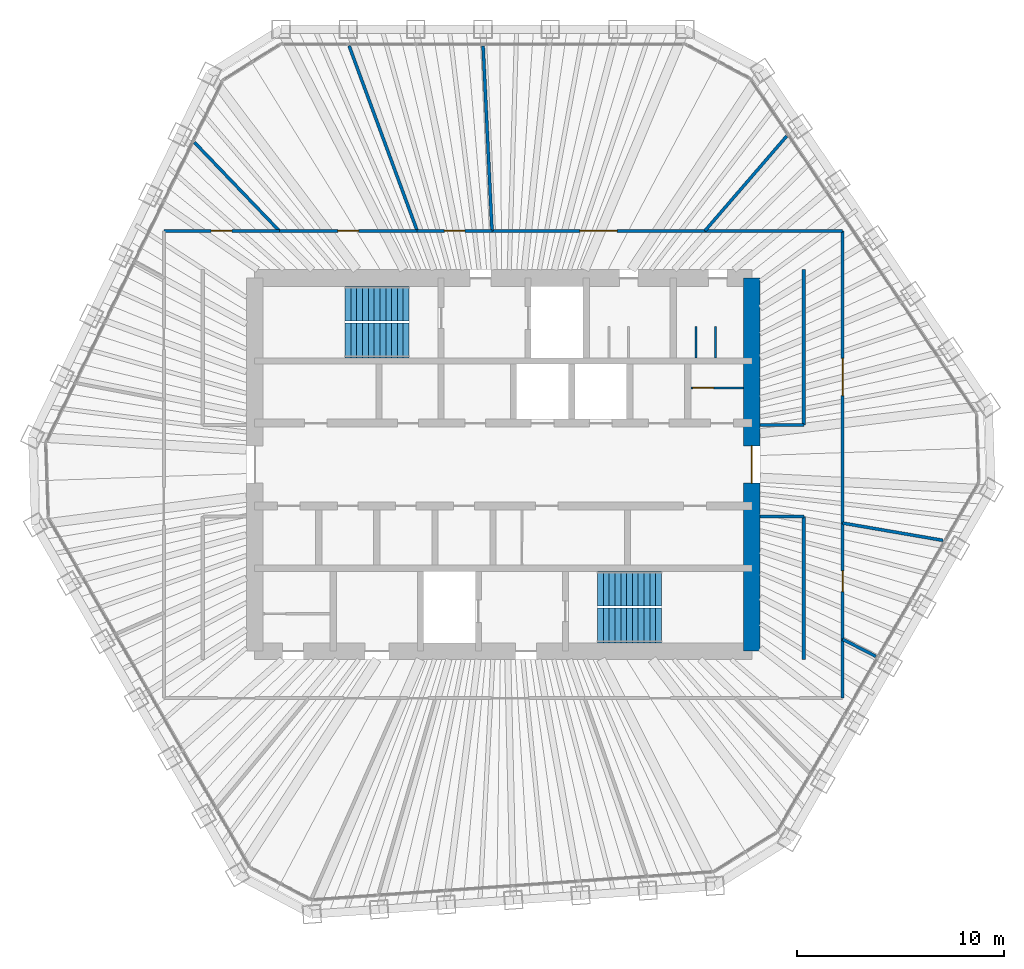
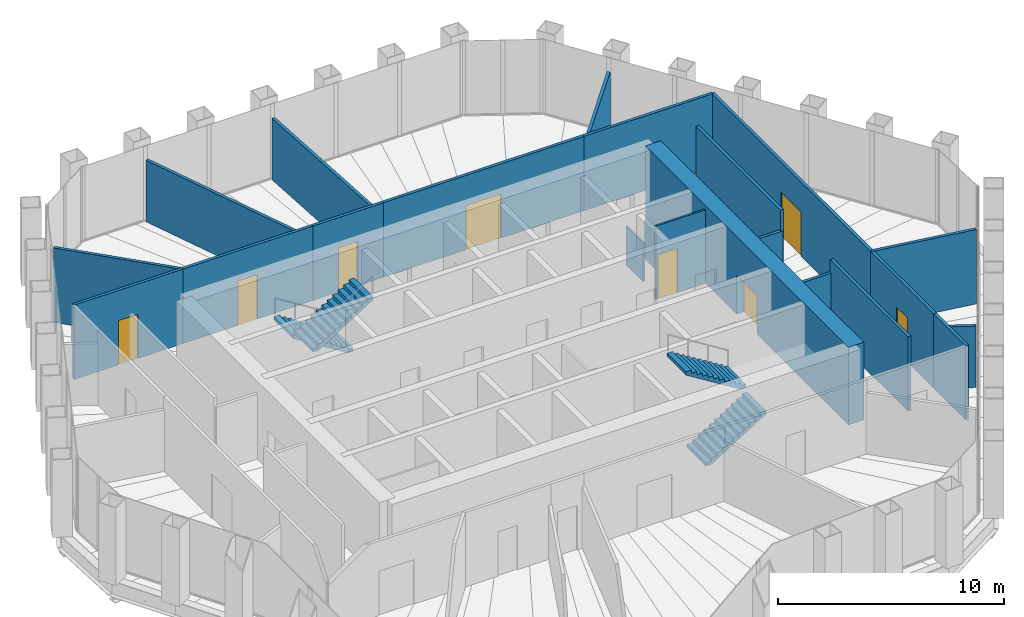
# One storey, part 13 of 14: 22 walls, 8 doors, 4 stair flights, 8 openings, 2 elements without a shape of their own.
"""IFC4 building model written with IfcOpenShell, lengths in metres."""

import ifcopenshell
import ifcopenshell.guid

model = None  # the IFC model being written
_history = None  # IfcOwnerHistory: only IFC2X3 demands one
_inside = {}  # id of a spatial element -> (the spatial element, [elements in it])
_under = {}  # id of a project, library or spatial element -> (it, [spatial elements below it])
_declared = {}  # id of a project -> (the project, [libraries it declares])
_typed = {}  # id of a type object -> (the type object, [elements of that type])
_made_of = {}  # id of a material, layer set ... -> (it, [elements and type objects made of it])


def new_model(schema):
    """Start an empty IFC model of exactly this schema.

    Asked for "IFC4X3", IfcOpenShell would pick the latest addendum, in which some entities
    have other attributes; the version numbers below select the first issue.
    IFC2X3 requires an IfcOwnerHistory on every rooted entity: one is made here for all.
    """
    global model, _history
    if schema == "IFC4X3":
        model = ifcopenshell.file(schema_version=(4, 3, 0, 0))
    else:
        model = ifcopenshell.file(schema=schema)
    _inside.clear()
    _under.clear()
    _declared.clear()
    _typed.clear()
    _made_of.clear()
    _history = None
    if model.schema == "IFC2X3":
        org = make("IfcOrganization", Name="unknown")
        user = make(
            "IfcPersonAndOrganization",
            ThePerson=make("IfcPerson", FamilyName="unknown"),
            TheOrganization=org,
        )
        app = make(
            "IfcApplication",
            ApplicationDeveloper=org,
            Version="unknown",
            ApplicationFullName="unknown",
            ApplicationIdentifier="unknown",
        )
        _history = make(
            "IfcOwnerHistory",
            OwningUser=user,
            OwningApplication=app,
            ChangeAction="ADDED",
            CreationDate=0,
        )
    return model


def make(cls, **values):
    """One entity of the class cls with the attributes given. An attribute that is None is left unset."""
    return model.create_entity(
        cls, **{name: value for name, value in values.items() if value is not None}
    )


def rooted(cls, **values):
    """An entity with a GlobalId (a new one), such as an element, a storey or a relation."""
    return make(cls, GlobalId=ifcopenshell.guid.new(), OwnerHistory=_history, **values)


def si_unit(unit_type, name, prefix=None):
    """IfcSIUnit, for example si_unit("LENGTHUNIT", "METRE", prefix="MILLI")."""
    return make("IfcSIUnit", UnitType=unit_type, Prefix=prefix, Name=name)


def assignment(units):
    """IfcUnitAssignment: the units of a project."""
    return None if units is None else make("IfcUnitAssignment", Units=units)


def point(xyz):
    """IfcCartesianPoint."""
    return None if xyz is None else make("IfcCartesianPoint", Coordinates=xyz)


def direction(xyz):
    """IfcDirection."""
    return None if xyz is None else make("IfcDirection", DirectionRatios=xyz)


def frame(location, z_axis=None, x_axis=None):
    """IfcAxis2Placement3D, a coordinate frame: its origin and axes. An axis left out is left unset."""
    return make(
        "IfcAxis2Placement3D",
        Location=point(location),
        Axis=direction(z_axis),
        RefDirection=direction(x_axis),
    )


def frame_2d(location, x_axis=None):
    """IfcAxis2Placement2D, a coordinate frame in the plane: its origin and x axis."""
    return make(
        "IfcAxis2Placement2D", Location=point(location), RefDirection=direction(x_axis)
    )


def origin():
    """The frame at (0, 0, 0) with its axes left unset."""
    return frame((0.0, 0.0, 0.0))


def place(relative_to, where):
    """IfcLocalPlacement: puts the frame where relative to a parent placement (None: the world)."""
    return make(
        "IfcLocalPlacement", PlacementRelTo=relative_to, RelativePlacement=where
    )


def context(
    kind, dimensions, precision=None, world=None, true_north=None, identifier=None
):
    """IfcGeometricRepresentationContext, for example the 3D "Model" context."""
    return make(
        "IfcGeometricRepresentationContext",
        ContextIdentifier=identifier,
        ContextType=kind,
        CoordinateSpaceDimension=dimensions,
        Precision=precision,
        WorldCoordinateSystem=world,
        TrueNorth=true_north,
    )


def subcontext(parent, identifier, kind, view, scale=None):
    """IfcGeometricRepresentationSubContext, for example "Body" below "Model"."""
    return make(
        "IfcGeometricRepresentationSubContext",
        ContextIdentifier=identifier,
        ContextType=kind,
        ParentContext=parent,
        TargetScale=scale,
        TargetView=view,
    )


def project(units=None, contexts=None):
    """IfcProject with its units and contexts."""
    return rooted(
        "IfcProject",
        Name="project",
        RepresentationContexts=contexts,
        UnitsInContext=assignment(units),
    )


def spatial(cls, under=None, at=None, **own):
    """A site, building, storey or space (cls), placed at a placement, below another one or the project."""
    s = rooted(cls, ObjectPlacement=at, **own)
    if under is not None:
        _under.setdefault(under.id(), (under, []))[1].append(s)
    return s


def polyline(points):
    """IfcPolyline through the points."""
    return make("IfcPolyline", Points=[point(p) for p in points])


def profile(cls, at=None, kind="AREA", **sizes):
    """A parametric profile (cls). Its sizes go by their IFC names, for example OverallWidth=200.0."""
    return make(cls, ProfileType=kind, Position=at, **sizes)


def rectangle(**sizes):
    """IfcRectangleProfileDef."""
    return profile("IfcRectangleProfileDef", **sizes)


def outline(outer, holes=None, kind="AREA"):
    """IfcArbitraryClosedProfileDef: a profile drawn as a closed curve; with holes, ...WithVoids."""
    if holes is None:
        return make("IfcArbitraryClosedProfileDef", ProfileType=kind, OuterCurve=outer)
    return make(
        "IfcArbitraryProfileDefWithVoids",
        ProfileType=kind,
        OuterCurve=outer,
        InnerCurves=holes,
    )


def extrude(swept, where, along, depth):
    """IfcExtrudedAreaSolid: the profile swept, set in the frame where, extruded along a direction by depth."""
    return make(
        "IfcExtrudedAreaSolid",
        SweptArea=swept,
        Position=where,
        ExtrudedDirection=direction(along),
        Depth=depth,
    )


def shape(context_of_items, identifier, shape_type, items):
    """IfcShapeRepresentation: the items that make up one representation, for example the "Body"."""
    return make(
        "IfcShapeRepresentation",
        ContextOfItems=context_of_items,
        RepresentationIdentifier=identifier,
        RepresentationType=shape_type,
        Items=items,
    )


def material(Name=None, Category=None):
    """IfcMaterial."""
    return make("IfcMaterial", Name=Name, Category=Category)


def layer(
    of_material, thickness, ventilated=None, Name=None, Category=None, Priority=None
):
    """IfcMaterialLayer: one layer of a wall or slab, of a material (None: an air gap)."""
    return make(
        "IfcMaterialLayer",
        Material=of_material,
        LayerThickness=thickness,
        IsVentilated=ventilated,
        Name=Name,
        Category=Category,
        Priority=Priority,
    )


def layer_set(layers, Name=None):
    """IfcMaterialLayerSet."""
    return make("IfcMaterialLayerSet", MaterialLayers=layers, LayerSetName=Name)


def made_of(thing, what):
    """Note that an element or type object is made of a material, layer set ...; save() writes the relation."""
    if what is not None:
        _made_of.setdefault(what.id(), (what, []))[1].append(thing)
    return thing


def type_object(cls, material=None, **own):
    """A type object (cls), such as IfcWallType, which elements share."""
    return made_of(rooted(cls, **own), material)


def element(
    cls,
    number,
    at=None,
    inside=None,
    cuts=None,
    type_object=None,
    material=None,
    context=None,
    identifier="Body",
    shape_type=None,
    held_by="IfcProductDefinitionShape",
    body=None,
    shapes=None,
    **own,
):
    """One element of the class cls, such as IfcWall. Its Tag is "e" and its number.

    at: its placement. inside: the storey or other place that contains it. cuts: it is an
    opening in that element (IfcRelVoidsElement). A single representation is given by context,
    identifier, shape_type and body (its items); several are given by shapes. held_by: the class
    of the entity that holds the representations. save() writes the other relations.
    """
    e = rooted(cls, Tag="e%d" % number, ObjectPlacement=at, **own)
    if body is not None:
        shapes = [shape(context, identifier, shape_type, body)]
    if shapes is not None:
        e.Representation = make(held_by, Representations=shapes)
    if inside is not None:
        _inside.setdefault(inside.id(), (inside, []))[1].append(e)
    if cuts is not None:
        rooted(
            "IfcRelVoidsElement", RelatingBuildingElement=cuts, RelatedOpeningElement=e
        )
    if type_object is not None:
        _typed.setdefault(type_object.id(), (type_object, []))[1].append(e)
    return made_of(e, material)


def fill(opening, filler):
    """IfcRelFillsElement: the door or window that sits in an opening."""
    return rooted(
        "IfcRelFillsElement",
        RelatingOpeningElement=opening,
        RelatedBuildingElement=filler,
    )


def aggregate(whole, parts):
    """IfcRelAggregates: a whole, such as a stair, and the parts it consists of."""
    return rooted("IfcRelAggregates", RelatingObject=whole, RelatedObjects=parts)


def save(model, path):
    """Write the relations noted so far, then the file.

    IfcRelAggregates (storeys below a building ...), IfcRelContainedInSpatialStructure (elements
    in a storey), IfcRelDefinesByType, IfcRelAssociatesMaterial and IfcRelDeclares: one each for
    every whole, place, type object, material and project.
    """
    for whole, parts in _under.values():
        aggregate(whole, parts)
    for where, things in _inside.values():
        rooted(
            "IfcRelContainedInSpatialStructure",
            RelatedElements=things,
            RelatingStructure=where,
        )
    for kind, things in _typed.values():
        rooted("IfcRelDefinesByType", RelatedObjects=things, RelatingType=kind)
    for what, things in _made_of.values():
        rooted("IfcRelAssociatesMaterial", RelatedObjects=things, RelatingMaterial=what)
    for by, libraries in _declared.values():
        rooted("IfcRelDeclares", RelatingContext=by, RelatedDefinitions=libraries)
    model.write(path)


model = new_model("IFC4")

# Units and contexts
model_context = context("Model", 3, precision=1e-05, world=origin(), true_north=direction((0.0, 1.0)))
body_context = subcontext(model_context, "Body", "Model", "MODEL_VIEW")
ifc_project = project(units=[si_unit("LENGTHUNIT", "METRE"), si_unit("AREAUNIT", "SQUARE_METRE"), si_unit("VOLUMEUNIT", "CUBIC_METRE"), si_unit("PLANEANGLEUNIT", "RADIAN"), si_unit("MASSUNIT", "GRAM", prefix="KILO")], contexts=[model_context])

# Site, building, storey
site_placement = place(None, origin())
site = spatial("IfcSite", under=ifc_project, at=site_placement, CompositionType="ELEMENT")
building_placement = place(site_placement, origin())
building = spatial("IfcBuilding", under=site, at=building_placement, Name="Qingtian Harvest Tower", CompositionType="ELEMENT")
storey_placement = place(building_placement, frame((0.0, 0.0, 308.199951171875)))
storey = spatial("IfcBuildingStorey", under=building, at=storey_placement, Name="L68", CompositionType="ELEMENT", Elevation=308.199951171875)

# Wall, opening, door
ifc_material_1 = material(Name="Concrete fc' 70 MPa", Category="concrete")
ifc_layer_1 = layer(ifc_material_1, 0.800048828125)
ifc_layer_set_1 = layer_set([ifc_layer_1], Name="Core wall RC4 800")
wall_type_1 = type_object("IfcWallType", Name="Core wall RC4 800", PredefinedType="SHEAR", material=ifc_layer_set_1)
wall_1_placement = place(storey_placement, frame((12.0, -9.0, 0.0), z_axis=(0.0, 0.0, 1.0), x_axis=(0.0, 1.0, 0.0)))
wall_1 = element("IfcWall", 1, at=wall_1_placement, inside=storey, type_object=wall_type_1, Name="Core wall CE L68", PredefinedType="SHEAR", context=body_context, shape_type="SweptSolid", body=[
    extrude(rectangle(XDim=18.0, YDim=0.800048828125, at=frame_2d((9.0, 0.0))), origin(), (0.0, 0.0, 1.0), 4.199951171875),
])
opening_1_placement = place(wall_1_placement, frame((8.10009765625, 0.0, 0.0)))
opening_1 = element("IfcOpeningElement", 2, at=opening_1_placement, cuts=wall_1, Name="Opening FD2", PredefinedType="OPENING", context=body_context, shape_type="SweptSolid", body=[
    extrude(rectangle(XDim=1.800048828125, YDim=2.10009765625, at=frame_2d((0.89990234375, 1.050048828125))), frame((0.0, 0.409912109375, 0.0), z_axis=(0.0, -1.0, 0.0), x_axis=(1.0, 0.0, 0.0)), (0.0, 0.0, 1.0), 0.820068359375),
])
ifc_material_2 = material(Name="Steel-faced door leaf", Category="steel")
door_type_1 = type_object("IfcDoorType", Name="Fire door FD2 double 1 HR", OperationType="DOUBLE_DOOR_DOUBLE_SWING", PredefinedType="DOOR", material=ifc_material_2)
door_1_placement = place(opening_1_placement, origin())
door_1 = element("IfcDoor", 3, at=door_1_placement, inside=storey, type_object=door_type_1, Name="LOBBY-E door L68", OperationType="DOUBLE_DOOR_DOUBLE_SWING", OverallHeight=2.10009765625, OverallWidth=1.800048828125, PredefinedType="DOOR", context=body_context, shape_type="SweptSolid", body=[
    extrude(rectangle(XDim=1.800048828125, YDim=2.10009765625, at=frame_2d((0.89990234375, 1.050048828125))), frame((0.0, 0.02490234375, 0.0), z_axis=(0.0, -1.0, 0.0), x_axis=(1.0, 0.0, 0.0)), (0.0, 0.0, 1.0), 0.050048828125),
])
fill(opening_1, door_1)

# Walls
ifc_material_3 = material(Name="Gypsum board on steel studs", Category="steel")
ifc_layer_2 = layer(ifc_material_3, 0.14990234375)
ifc_layer_set_2 = layer_set([ifc_layer_2], Name="Partition PT1 150")
wall_type_2 = type_object("IfcWallType", Name="Partition PT1 150", PredefinedType="PARTITIONING", material=ifc_layer_set_2)
wall_2_placement = place(storey_placement, frame((13.678466796875, 15.850341796875, 0.0), z_axis=(0.0, 0.0, 1.0), x_axis=(-0.65333269737, -0.757070925704, 0.0)))
element("IfcWall", 4, at=wall_2_placement, inside=storey, type_object=wall_type_2, Name="Boardroom wall L68", PredefinedType="PARTITIONING", context=body_context, shape_type="SweptSolid", body=[
    extrude(rectangle(XDim=6.043701171875, YDim=0.14990234375, at=frame_2d((3.02197265625, 0.0))), origin(), (0.0, 0.0, 1.0), 3.330078125),
])
wall_3_placement = place(storey_placement, frame((9.72998046875, 11.27490234375, 0.0), z_axis=(0.0, 0.0, 1.0), x_axis=(1.0, 0.0, 0.0)))
element("IfcWall", 5, at=wall_3_placement, inside=storey, type_object=wall_type_2, Name="Boardroom wall L68", PredefinedType="PARTITIONING", context=body_context, shape_type="SweptSolid", body=[
    extrude(rectangle(XDim=6.64501953125, YDim=0.14990234375, at=frame_2d((3.322509765625, 0.0))), origin(), (0.0, 0.0, 1.0), 4.030029296875),
])

# Wall, opening, door
wall_4_placement = place(storey_placement, frame((16.375, 11.27490234375, 0.0), z_axis=(0.0, 0.0, 1.0), x_axis=(0.0, -1.0, 0.0)))
wall_4 = element("IfcWall", 6, at=wall_4_placement, inside=storey, type_object=wall_type_2, Name="Boardroom wall L68", PredefinedType="PARTITIONING", context=body_context, shape_type="SweptSolid", body=[
    extrude(rectangle(XDim=14.099609375, YDim=0.14990234375, at=frame_2d((7.0498046875, 0.0))), origin(), (0.0, 0.0, 1.0), 4.030029296875),
])
opening_2_placement = place(wall_4_placement, frame((6.14990234375, 0.0, 0.0)))
opening_2 = element("IfcOpeningElement", 7, at=opening_2_placement, cuts=wall_4, Name="Opening D3", PredefinedType="OPENING", context=body_context, shape_type="SweptSolid", body=[
    extrude(rectangle(XDim=1.800048828125, YDim=2.39990234375, at=frame_2d((0.89990234375, 1.199951171875))), frame((0.0, 0.0849609375, 0.0), z_axis=(0.0, -1.0, 0.0), x_axis=(1.0, 0.0, 0.0)), (0.0, 0.0, 1.0), 0.169921875),
])
ifc_material_4 = material(Name="Laminated timber door leaf", Category="wood")
door_type_2 = type_object("IfcDoorType", Name="Room door D3 double", OperationType="DOUBLE_DOOR_DOUBLE_SWING", PredefinedType="DOOR", material=ifc_material_4)
door_2_placement = place(opening_2_placement, origin())
door_2 = element("IfcDoor", 8, at=door_2_placement, inside=storey, type_object=door_type_2, Name="Boardroom door L68", OperationType="DOUBLE_DOOR_DOUBLE_SWING", OverallHeight=2.39990234375, OverallWidth=1.800048828125, PredefinedType="DOOR", context=body_context, shape_type="SweptSolid", body=[
    extrude(rectangle(XDim=1.800048828125, YDim=2.39990234375, at=frame_2d((0.89990234375, 1.199951171875))), frame((0.0, 0.02490234375, 0.0), z_axis=(0.0, -1.0, 0.0), x_axis=(1.0, 0.0, 0.0)), (0.0, 0.0, 1.0), 0.050048828125),
])
fill(opening_2, door_2)

# Wall
wall_5_placement = place(storey_placement, frame((21.218994140625, -3.66015625, 0.0), z_axis=(0.0, 0.0, 1.0), x_axis=(-0.98545065103, 0.169961802723, 0.0)))
element("IfcWall", 9, at=wall_5_placement, inside=storey, type_object=wall_type_2, Name="Private office wall L68", PredefinedType="PARTITIONING", context=body_context, shape_type="SweptSolid", body=[
    extrude(rectangle(XDim=4.91552734375, YDim=0.14990234375, at=frame_2d((2.457763671875, 0.0))), origin(), (0.0, 0.0, 1.0), 4.030029296875),
])

# Wall, opening, door
wall_6_placement = place(storey_placement, frame((16.375, -2.82470703125, 0.0), z_axis=(0.0, 0.0, 1.0), x_axis=(0.0, -1.0, 0.0)))
wall_6 = element("IfcWall", 10, at=wall_6_placement, inside=storey, type_object=wall_type_2, Name="Private office wall L68", PredefinedType="PARTITIONING", context=body_context, shape_type="SweptSolid", body=[
    extrude(rectangle(XDim=5.605712890625, YDim=0.14990234375, at=frame_2d((2.802734375, 0.0))), origin(), (0.0, 0.0, 1.0), 4.030029296875),
])
opening_3_placement = place(wall_6_placement, frame((2.302978515625, 0.0, 0.0)))
opening_3 = element("IfcOpeningElement", 11, at=opening_3_placement, cuts=wall_6, Name="Opening D2", PredefinedType="OPENING", context=body_context, shape_type="SweptSolid", body=[
    extrude(rectangle(XDim=1.0, YDim=2.39990234375, at=frame_2d((0.5, 1.199951171875))), frame((0.0, 0.0849609375, 0.0), z_axis=(0.0, -1.0, 0.0), x_axis=(1.0, 0.0, 0.0)), (0.0, 0.0, 1.0), 0.169921875),
])
ifc_material_5 = material(Name="Laminated timber door leaf", Category="wood")
door_type_3 = type_object("IfcDoorType", Name="Room door D2 single", OperationType="SINGLE_SWING_LEFT", PredefinedType="DOOR", material=ifc_material_5)
door_3_placement = place(opening_3_placement, origin())
door_3 = element("IfcDoor", 12, at=door_3_placement, inside=storey, type_object=door_type_3, Name="Private office door L68", OperationType="SINGLE_SWING_LEFT", OverallHeight=2.39990234375, OverallWidth=1.0, PredefinedType="DOOR", context=body_context, shape_type="SweptSolid", body=[
    extrude(rectangle(XDim=1.0, YDim=2.39990234375, at=frame_2d((0.5, 1.199951171875))), frame((0.0, 0.02490234375, 0.0), z_axis=(0.0, -1.0, 0.0), x_axis=(1.0, 0.0, 0.0)), (0.0, 0.0, 1.0), 0.050048828125),
])
fill(opening_3, door_3)

# Walls
wall_7_placement = place(storey_placement, frame((17.98046875, -9.257080078125, 0.0), z_axis=(0.0, 0.0, 1.0), x_axis=(-0.889064606085, 0.457781745165, 0.0)))
element("IfcWall", 13, at=wall_7_placement, inside=storey, type_object=wall_type_2, Name="Private office wall L68", PredefinedType="PARTITIONING", context=body_context, shape_type="SweptSolid", body=[
    extrude(rectangle(XDim=1.805908203125, YDim=0.14990234375, at=frame_2d((0.90283203125, 0.0))), origin(), (0.0, 0.0, 1.0), 3.330078125),
])
wall_8_placement = place(storey_placement, frame((16.375, -8.430419921875, 0.0), z_axis=(0.0, 0.0, 1.0), x_axis=(0.0, -1.0, 0.0)))
element("IfcWall", 14, at=wall_8_placement, inside=storey, type_object=wall_type_2, Name="Private office wall L68", PredefinedType="PARTITIONING", context=body_context, shape_type="SweptSolid", body=[
    extrude(rectangle(XDim=2.844482421875, YDim=0.14990234375, at=frame_2d((1.42236328125, 0.0))), origin(), (0.0, 0.0, 1.0), 4.030029296875),
])

# Wall, opening, door
wall_9_placement = place(storey_placement, frame((-16.375, 11.27490234375, 0.0), z_axis=(0.0, 0.0, 1.0), x_axis=(1.0, 0.0, 0.0)))
wall_9 = element("IfcWall", 15, at=wall_9_placement, inside=storey, type_object=wall_type_2, Name="Meeting room wall L68", PredefinedType="PARTITIONING", context=body_context, shape_type="SweptSolid", body=[
    extrude(rectangle(XDim=5.567626953125, YDim=0.14990234375, at=frame_2d((2.78369140625, 0.0))), origin(), (0.0, 0.0, 1.0), 4.030029296875),
])
opening_4_placement = place(wall_9_placement, frame((2.28369140625, 0.0, 0.0)))
opening_4 = element("IfcOpeningElement", 16, at=opening_4_placement, cuts=wall_9, Name="Opening D2", PredefinedType="OPENING", context=body_context, shape_type="SweptSolid", body=[
    extrude(rectangle(XDim=1.0, YDim=2.39990234375, at=frame_2d((0.5, 1.199951171875))), frame((0.0, 0.0849609375, 0.0), z_axis=(0.0, -1.0, 0.0), x_axis=(1.0, 0.0, 0.0)), (0.0, 0.0, 1.0), 0.169921875),
])
door_4_placement = place(opening_4_placement, origin())
door_4 = element("IfcDoor", 17, at=door_4_placement, inside=storey, type_object=door_type_3, Name="Meeting room door L68", OperationType="SINGLE_SWING_RIGHT", OverallHeight=2.39990234375, OverallWidth=1.0, PredefinedType="DOOR", context=body_context, shape_type="SweptSolid", body=[
    extrude(rectangle(XDim=1.0, YDim=2.39990234375, at=frame_2d((0.5, 1.199951171875))), frame((0.0, 0.02490234375, 0.0), z_axis=(0.0, -1.0, 0.0), x_axis=(1.0, 0.0, 0.0)), (0.0, 0.0, 1.0), 0.050048828125),
])
fill(opening_4, door_4)

# Wall
wall_10_placement = place(storey_placement, frame((-14.89990234375, 15.54443359375, 0.0), z_axis=(0.0, 0.0, 1.0), x_axis=(0.691984258941, -0.72191258846, 0.0)))
element("IfcWall", 18, at=wall_10_placement, inside=storey, type_object=wall_type_2, Name="Workplace zone wall L68", PredefinedType="PARTITIONING", context=body_context, shape_type="SweptSolid", body=[
    extrude(rectangle(XDim=5.914306640625, YDim=0.14990234375, at=frame_2d((2.95703125, 0.0))), origin(), (0.0, 0.0, 1.0), 4.030029296875),
])

# Wall, opening, door
wall_11_placement = place(storey_placement, frame((-10.807373046875, 11.27490234375, 0.0), z_axis=(0.0, 0.0, 1.0), x_axis=(1.0, 0.0, 0.0)))
wall_11 = element("IfcWall", 19, at=wall_11_placement, inside=storey, type_object=wall_type_2, Name="Workplace zone wall L68", PredefinedType="PARTITIONING", context=body_context, shape_type="SweptSolid", body=[
    extrude(rectangle(XDim=6.656005859375, YDim=0.14990234375, at=frame_2d((3.328125, 0.0))), origin(), (0.0, 0.0, 1.0), 4.030029296875),
])
opening_5_placement = place(wall_11_placement, frame((2.828125, 0.0, 0.0)))
opening_5 = element("IfcOpeningElement", 20, at=opening_5_placement, cuts=wall_11, Name="Opening D2", PredefinedType="OPENING", context=body_context, shape_type="SweptSolid", body=[
    extrude(rectangle(XDim=1.0, YDim=2.39990234375, at=frame_2d((0.5, 1.199951171875))), frame((0.0, 0.0849609375, 0.0), z_axis=(0.0, -1.0, 0.0), x_axis=(1.0, 0.0, 0.0)), (0.0, 0.0, 1.0), 0.169921875),
])
door_5_placement = place(opening_5_placement, origin())
door_5 = element("IfcDoor", 21, at=door_5_placement, inside=storey, type_object=door_type_3, Name="Workplace zone door L68", OperationType="SINGLE_SWING_LEFT", OverallHeight=2.39990234375, OverallWidth=1.0, PredefinedType="DOOR", context=body_context, shape_type="SweptSolid", body=[
    extrude(rectangle(XDim=1.0, YDim=2.39990234375, at=frame_2d((0.5, 1.199951171875))), frame((0.0, 0.02490234375, 0.0), z_axis=(0.0, -1.0, 0.0), x_axis=(1.0, 0.0, 0.0)), (0.0, 0.0, 1.0), 0.050048828125),
])
fill(opening_5, door_5)

# Wall
wall_12_placement = place(storey_placement, frame((-7.439697265625, 20.2060546875, 0.0), z_axis=(0.0, 0.0, 1.0), x_axis=(0.345511582319, -0.93841448544, 0.0)))
element("IfcWall", 22, at=wall_12_placement, inside=storey, type_object=wall_type_2, Name="Quiet room wall L68", PredefinedType="PARTITIONING", context=body_context, shape_type="SweptSolid", body=[
    extrude(rectangle(XDim=9.517333984375, YDim=0.14990234375, at=frame_2d((4.7587890625, 0.0))), origin(), (0.0, 0.0, 1.0), 3.330078125),
])

# Wall, opening, door
wall_13_placement = place(storey_placement, frame((-4.1513671875, 11.27490234375, 0.0), z_axis=(0.0, 0.0, 1.0), x_axis=(1.0, 0.0, 0.0)))
wall_13 = element("IfcWall", 23, at=wall_13_placement, inside=storey, type_object=wall_type_2, Name="Quiet room wall L68", PredefinedType="PARTITIONING", context=body_context, shape_type="SweptSolid", body=[
    extrude(rectangle(XDim=3.608154296875, YDim=0.14990234375, at=frame_2d((1.80419921875, 0.0))), origin(), (0.0, 0.0, 1.0), 4.030029296875),
])
opening_6_placement = place(wall_13_placement, frame((1.303955078125, 0.0, 0.0)))
opening_6 = element("IfcOpeningElement", 24, at=opening_6_placement, cuts=wall_13, Name="Opening D2", PredefinedType="OPENING", context=body_context, shape_type="SweptSolid", body=[
    extrude(rectangle(XDim=1.0, YDim=2.39990234375, at=frame_2d((0.5, 1.199951171875))), frame((0.0, 0.0849609375, 0.0), z_axis=(0.0, -1.0, 0.0), x_axis=(1.0, 0.0, 0.0)), (0.0, 0.0, 1.0), 0.169921875),
])
door_6_placement = place(opening_6_placement, origin())
door_6 = element("IfcDoor", 25, at=door_6_placement, inside=storey, type_object=door_type_3, Name="Quiet room door L68", OperationType="SINGLE_SWING_LEFT", OverallHeight=2.39990234375, OverallWidth=1.0, PredefinedType="DOOR", context=body_context, shape_type="SweptSolid", body=[
    extrude(rectangle(XDim=1.0, YDim=2.39990234375, at=frame_2d((0.5, 1.199951171875))), frame((0.0, 0.02490234375, 0.0), z_axis=(0.0, -1.0, 0.0), x_axis=(1.0, 0.0, 0.0)), (0.0, 0.0, 1.0), 0.050048828125),
])
fill(opening_6, door_6)

# Wall
wall_14_placement = place(storey_placement, frame((-0.973388671875, 20.2001953125, 0.0), z_axis=(0.0, 0.0, 1.0), x_axis=(0.04814150135, -0.998840525734, 0.0)))
element("IfcWall", 26, at=wall_14_placement, inside=storey, type_object=wall_type_2, Name="Meeting room wall L68", PredefinedType="PARTITIONING", context=body_context, shape_type="SweptSolid", body=[
    extrude(rectangle(XDim=8.935546875, YDim=0.14990234375, at=frame_2d((4.4677734375, 0.0))), origin(), (0.0, 0.0, 1.0), 3.330078125),
])

# Wall, opening, door
wall_15_placement = place(storey_placement, frame((-0.543212890625, 11.27490234375, 0.0), z_axis=(0.0, 0.0, 1.0), x_axis=(1.0, 0.0, 0.0)))
wall_15 = element("IfcWall", 27, at=wall_15_placement, inside=storey, type_object=wall_type_2, Name="Meeting room wall L68", PredefinedType="PARTITIONING", context=body_context, shape_type="SweptSolid", body=[
    extrude(rectangle(XDim=10.273193359375, YDim=0.14990234375, at=frame_2d((5.13671875, 0.0))), origin(), (0.0, 0.0, 1.0), 4.030029296875),
])
opening_7_placement = place(wall_15_placement, frame((4.236572265625, 0.0, 0.0)))
opening_7 = element("IfcOpeningElement", 28, at=opening_7_placement, cuts=wall_15, Name="Opening D3", PredefinedType="OPENING", context=body_context, shape_type="SweptSolid", body=[
    extrude(rectangle(XDim=1.800048828125, YDim=2.39990234375, at=frame_2d((0.89990234375, 1.199951171875))), frame((0.0, 0.0849609375, 0.0), z_axis=(0.0, -1.0, 0.0), x_axis=(1.0, 0.0, 0.0)), (0.0, 0.0, 1.0), 0.169921875),
])
door_7_placement = place(opening_7_placement, origin())
door_7 = element("IfcDoor", 29, at=door_7_placement, inside=storey, type_object=door_type_2, Name="Meeting room door L68", OperationType="DOUBLE_DOOR_DOUBLE_SWING", OverallHeight=2.39990234375, OverallWidth=1.800048828125, PredefinedType="DOOR", context=body_context, shape_type="SweptSolid", body=[
    extrude(rectangle(XDim=1.800048828125, YDim=2.39990234375, at=frame_2d((0.89990234375, 1.199951171875))), frame((0.0, 0.02490234375, 0.0), z_axis=(0.0, -1.0, 0.0), x_axis=(1.0, 0.0, 0.0)), (0.0, 0.0, 1.0), 0.050048828125),
])
fill(opening_7, door_7)

# Walls
wall_16_placement = place(storey_placement, frame((14.5, 1.89990234375, 0.0), z_axis=(0.0, 0.0, 1.0), x_axis=(0.0, 1.0, 0.0)))
element("IfcWall", 30, at=wall_16_placement, inside=storey, type_object=wall_type_2, Name="Coffee point wall L68", PredefinedType="PARTITIONING", context=body_context, shape_type="SweptSolid", body=[
    extrude(rectangle(XDim=7.5, YDim=0.14990234375, at=frame_2d((3.75, 0.0))), origin(), (0.0, 0.0, 1.0), 4.030029296875),
])
wall_17_placement = place(storey_placement, frame((12.39990234375, 1.89990234375, 0.0), z_axis=(0.0, 0.0, 1.0), x_axis=(1.0, 0.0, 0.0)))
element("IfcWall", 31, at=wall_17_placement, inside=storey, type_object=wall_type_2, Name="Coffee point wall L68", PredefinedType="PARTITIONING", context=body_context, shape_type="SweptSolid", body=[
    extrude(rectangle(XDim=2.10009765625, YDim=0.14990234375, at=frame_2d((1.050048828125, 0.0))), origin(), (0.0, 0.0, 1.0), 2.929931640625),
])
wall_18_placement = place(storey_placement, frame((14.5, -9.39990234375, 0.0), z_axis=(0.0, 0.0, 1.0), x_axis=(0.0, 1.0, 0.0)))
element("IfcWall", 32, at=wall_18_placement, inside=storey, type_object=wall_type_2, Name="Print area wall L68", PredefinedType="PARTITIONING", context=body_context, shape_type="SweptSolid", body=[
    extrude(rectangle(XDim=6.89990234375, YDim=0.14990234375, at=frame_2d((3.449951171875, 0.0))), origin(), (0.0, 0.0, 1.0), 4.030029296875),
])
wall_19_placement = place(storey_placement, frame((12.39990234375, -2.5, 0.0), z_axis=(0.0, 0.0, 1.0), x_axis=(1.0, 0.0, 0.0)))
element("IfcWall", 33, at=wall_19_placement, inside=storey, type_object=wall_type_2, Name="Print area wall L68", PredefinedType="PARTITIONING", context=body_context, shape_type="SweptSolid", body=[
    extrude(rectangle(XDim=2.10009765625, YDim=0.14990234375, at=frame_2d((1.050048828125, 0.0))), origin(), (0.0, 0.0, 1.0), 3.330078125),
])

# Wall, opening, door
ifc_material_6 = material(Name="Concrete block partition", Category="concrete")
ifc_layer_3 = layer(ifc_material_6, 0.10009765625)
ifc_layer_set_3 = layer_set([ifc_layer_3], Name="Store partition PT3 100")
wall_type_3 = type_object("IfcWallType", Name="Store partition PT3 100", PredefinedType="PARTITIONING", material=ifc_layer_set_3)
wall_20_placement = place(storey_placement, frame((9.050048828125, 3.699951171875, 0.0), z_axis=(0.0, 0.0, 1.0), x_axis=(1.0, 0.0, 0.0)))
wall_20 = element("IfcWall", 34, at=wall_20_placement, inside=storey, type_object=wall_type_3, Name="Filter plant room wall L68", PredefinedType="PARTITIONING", context=body_context, shape_type="SweptSolid", body=[
    extrude(rectangle(XDim=2.550048828125, YDim=0.10009765625, at=frame_2d((1.27490234375, 0.0))), origin(), (0.0, 0.0, 1.0), 3.97998046875),
])
opening_8_placement = place(wall_20_placement, frame((0.10009765625, 0.0, 0.0)))
opening_8 = element("IfcOpeningElement", 35, at=opening_8_placement, cuts=wall_20, Name="Opening D2", PredefinedType="OPENING", context=body_context, shape_type="SweptSolid", body=[
    extrude(rectangle(XDim=1.0, YDim=2.39990234375, at=frame_2d((0.5, 1.199951171875))), frame((0.0, 0.06005859375, 0.0), z_axis=(0.0, -1.0, 0.0), x_axis=(1.0, 0.0, 0.0)), (0.0, 0.0, 1.0), 0.1201171875),
])
door_8_placement = place(opening_8_placement, origin())
door_8 = element("IfcDoor", 36, at=door_8_placement, inside=storey, type_object=door_type_3, Name="Filter plant room door L68", OperationType="SINGLE_SWING_LEFT", OverallHeight=2.39990234375, OverallWidth=1.0, PredefinedType="DOOR", context=body_context, shape_type="SweptSolid", body=[
    extrude(rectangle(XDim=1.0, YDim=2.39990234375, at=frame_2d((0.5, 1.199951171875))), frame((0.0, 0.02490234375, 0.0), z_axis=(0.0, -1.0, 0.0), x_axis=(1.0, 0.0, 0.0)), (0.0, 0.0, 1.0), 0.050048828125),
])
fill(opening_8, door_8)

# Walls
ifc_material_7 = material(Name="Compact laminate cubicle partition", Category="plastic")
ifc_layer_4 = layer(ifc_material_7, 0.10009765625)
ifc_layer_set_4 = layer_set([ifc_layer_4], Name="WC cubicle partition WP1 100")
wall_type_4 = type_object("IfcWallType", Name="WC cubicle partition WP1 100", PredefinedType="PARTITIONING", material=ifc_layer_set_4)
for number, where, z_axis, x_axis, name in (
    (37, (9.300048828125, 5.14990234375, 0.0), (0.0, 0.0, 1.0), (0.0, 1.0, 0.0), "WC cubicle partition WCF L68"),
    (38, (10.25, 5.14990234375, 0.0), (0.0, 0.0, 1.0), (0.0, 1.0, 0.0), "WC cubicle partition WCF L68"),
):
    element("IfcWall", number, at=place(storey_placement, frame(where, z_axis=z_axis, x_axis=x_axis)), inside=storey, type_object=wall_type_4, Name=name, PredefinedType="PARTITIONING", context=body_context, shape_type="SweptSolid", body=[
        extrude(rectangle(XDim=1.5, YDim=0.10009765625, at=frame_2d((0.75, 0.0))), origin(), (0.0, 0.0, 1.0), 2.10009765625),
    ])

# Stair, stair flights
ifc_material_8 = material(Name="Concrete fc' 35 MPa", Category="concrete")
stair_type = type_object("IfcStairType", Name="Special stair ST7 4200", PredefinedType="HALF_TURN_STAIR", material=ifc_material_8)
stair_1_placement = place(storey_placement, origin())
stair_1 = element("IfcStair", 39, at=stair_1_placement, inside=storey, type_object=stair_type, Name="Special stair S1 L68", PredefinedType="HALF_TURN_STAIR")
ifc_material_9 = material(Name="Concrete fc' 35 MPa", Category="concrete")
stair_flight_type = type_object("IfcStairFlightType", Name="Stair flight SF7 4200", PredefinedType="STRAIGHT", material=ifc_material_9)
stair_flight_1_placement = place(storey_placement, frame((-4.550048828125, 7.762451171875, 0.0), z_axis=(0.0, 0.0, 1.0), x_axis=(-1.0, 0.0, 0.0)))
stair_flight_1 = element("IfcStairFlight", 40, at=stair_flight_1_placement, type_object=stair_flight_type, Name="S1 flight 1", NumberOfRisers=12, NumberOfTreads=11, PredefinedType="STRAIGHT", RiserHeight=0.175, TreadLength=0.28, context=body_context, shape_type="SweptSolid", body=[
    extrude(outline(polyline([(0.0, 0.0), (0.0, 0.175048828125), (0.280029296875, 0.175048828125), (0.280029296875, 0.35009765625), (0.56005859375, 0.35009765625), (0.56005859375, 0.52490234375), (0.840087890625, 0.52490234375), (0.840087890625, 0.699951171875), (1.1201171875, 0.699951171875), (1.1201171875, 0.875), (1.39990234375, 0.875), (1.39990234375, 1.050048828125), (1.679931640625, 1.050048828125), (1.679931640625, 1.22509765625), (1.9599609375, 1.22509765625), (1.9599609375, 1.39990234375), (2.239990234375, 1.39990234375), (2.239990234375, 1.574951171875), (2.52001953125, 1.574951171875), (2.52001953125, 1.75), (2.800048828125, 1.75), (2.800048828125, 1.925048828125), (3.080078125, 1.925048828125), (3.080078125, 2.10009765625), (3.080078125, 1.748291015625), (0.28271484375, 0.0), (0.0, 0.0)])), frame((0.0, 0.83740234375, 0.0), z_axis=(0.0, -1.0, 0.0), x_axis=(1.0, 0.0, 0.0)), (0.0, 0.0, 1.0), 1.675048828125),
])
stair_flight_2_placement = place(storey_placement, frame((-7.6298828125, 5.987548828125, 2.10009765625), z_axis=(0.0, 0.0, 1.0), x_axis=(1.0, 0.0, 0.0)))
stair_flight_2 = element("IfcStairFlight", 41, at=stair_flight_2_placement, type_object=stair_flight_type, Name="S1 flight 2", NumberOfRisers=12, NumberOfTreads=11, PredefinedType="STRAIGHT", RiserHeight=0.175, TreadLength=0.28, context=body_context, shape_type="SweptSolid", body=[
    extrude(outline(polyline([(0.0, 0.0), (0.0, 0.175048828125), (0.280029296875, 0.175048828125), (0.280029296875, 0.35009765625), (0.56005859375, 0.35009765625), (0.56005859375, 0.52490234375), (0.840087890625, 0.52490234375), (0.840087890625, 0.699951171875), (1.1201171875, 0.699951171875), (1.1201171875, 0.875), (1.39990234375, 0.875), (1.39990234375, 1.050048828125), (1.679931640625, 1.050048828125), (1.679931640625, 1.22509765625), (1.9599609375, 1.22509765625), (1.9599609375, 1.39990234375), (2.239990234375, 1.39990234375), (2.239990234375, 1.574951171875), (2.52001953125, 1.574951171875), (2.52001953125, 1.75), (2.800048828125, 1.75), (2.800048828125, 1.925048828125), (3.080078125, 1.925048828125), (3.080078125, 2.10009765625), (3.080078125, 1.748291015625), (0.28271484375, 0.0), (0.0, 0.0)])), frame((0.0, 0.83740234375, 0.0), z_axis=(0.0, -1.0, 0.0), x_axis=(1.0, 0.0, 0.0)), (0.0, 0.0, 1.0), 1.675048828125),
])
aggregate(stair_1, [stair_flight_1, stair_flight_2])

stair_2_placement = place(storey_placement, origin())
stair_2 = element("IfcStair", 42, at=stair_2_placement, inside=storey, type_object=stair_type, Name="Special stair S2 L68", PredefinedType="HALF_TURN_STAIR")
stair_flight_3_placement = place(storey_placement, frame((4.550048828125, -7.762451171875, 0.0), z_axis=(0.0, 0.0, 1.0), x_axis=(1.0, 0.0, 0.0)))
stair_flight_3 = element("IfcStairFlight", 43, at=stair_flight_3_placement, type_object=stair_flight_type, Name="S2 flight 1", NumberOfRisers=12, NumberOfTreads=11, PredefinedType="STRAIGHT", RiserHeight=0.175, TreadLength=0.28, context=body_context, shape_type="SweptSolid", body=[
    extrude(outline(polyline([(0.0, 0.0), (0.0, 0.175048828125), (0.280029296875, 0.175048828125), (0.280029296875, 0.35009765625), (0.56005859375, 0.35009765625), (0.56005859375, 0.52490234375), (0.840087890625, 0.52490234375), (0.840087890625, 0.699951171875), (1.1201171875, 0.699951171875), (1.1201171875, 0.875), (1.39990234375, 0.875), (1.39990234375, 1.050048828125), (1.679931640625, 1.050048828125), (1.679931640625, 1.22509765625), (1.9599609375, 1.22509765625), (1.9599609375, 1.39990234375), (2.239990234375, 1.39990234375), (2.239990234375, 1.574951171875), (2.52001953125, 1.574951171875), (2.52001953125, 1.75), (2.800048828125, 1.75), (2.800048828125, 1.925048828125), (3.080078125, 1.925048828125), (3.080078125, 2.10009765625), (3.080078125, 1.748291015625), (0.28271484375, 0.0), (0.0, 0.0)])), frame((0.0, 0.83740234375, 0.0), z_axis=(0.0, -1.0, 0.0), x_axis=(1.0, 0.0, 0.0)), (0.0, 0.0, 1.0), 1.675048828125),
])
stair_flight_4_placement = place(storey_placement, frame((7.6298828125, -5.987548828125, 2.10009765625), z_axis=(0.0, 0.0, 1.0), x_axis=(-1.0, 0.0, 0.0)))
stair_flight_4 = element("IfcStairFlight", 44, at=stair_flight_4_placement, type_object=stair_flight_type, Name="S2 flight 2", NumberOfRisers=12, NumberOfTreads=11, PredefinedType="STRAIGHT", RiserHeight=0.175, TreadLength=0.28, context=body_context, shape_type="SweptSolid", body=[
    extrude(outline(polyline([(0.0, 0.0), (0.0, 0.175048828125), (0.280029296875, 0.175048828125), (0.280029296875, 0.35009765625), (0.56005859375, 0.35009765625), (0.56005859375, 0.52490234375), (0.840087890625, 0.52490234375), (0.840087890625, 0.699951171875), (1.1201171875, 0.699951171875), (1.1201171875, 0.875), (1.39990234375, 0.875), (1.39990234375, 1.050048828125), (1.679931640625, 1.050048828125), (1.679931640625, 1.22509765625), (1.9599609375, 1.22509765625), (1.9599609375, 1.39990234375), (2.239990234375, 1.39990234375), (2.239990234375, 1.574951171875), (2.52001953125, 1.574951171875), (2.52001953125, 1.75), (2.800048828125, 1.75), (2.800048828125, 1.925048828125), (3.080078125, 1.925048828125), (3.080078125, 2.10009765625), (3.080078125, 1.748291015625), (0.28271484375, 0.0), (0.0, 0.0)])), frame((0.0, 0.83740234375, 0.0), z_axis=(0.0, -1.0, 0.0), x_axis=(1.0, 0.0, 0.0)), (0.0, 0.0, 1.0), 1.675048828125),
])
aggregate(stair_2, [stair_flight_3, stair_flight_4])

save(model, "model.ifc")
